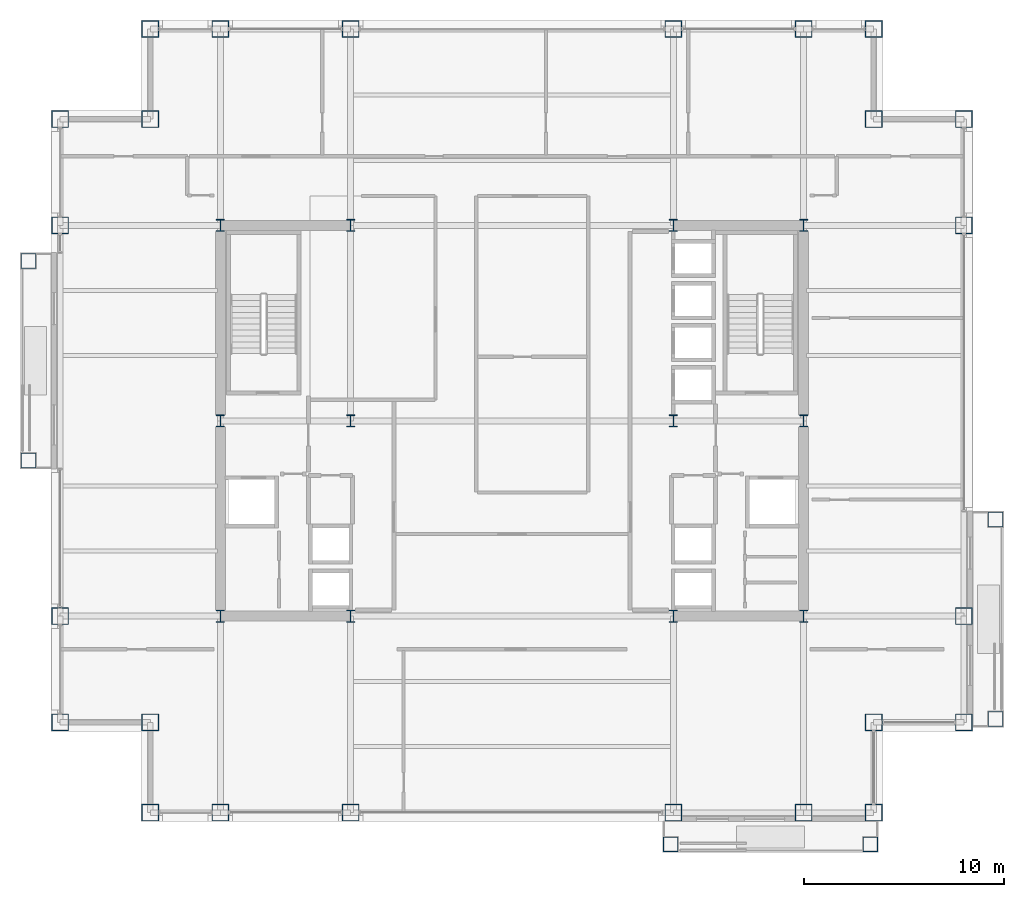
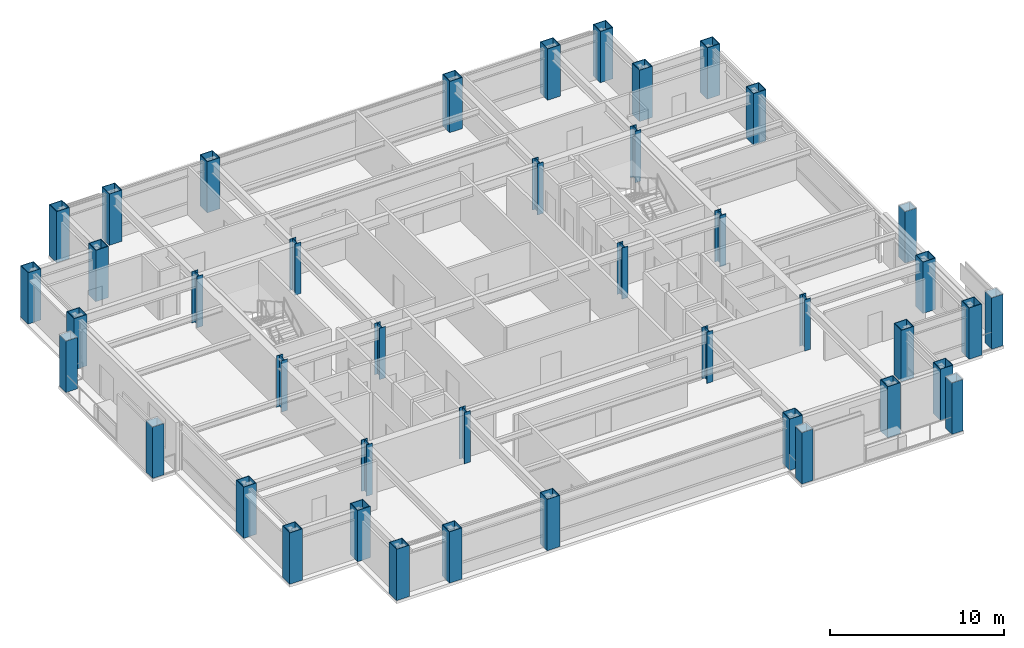
# One storey, part 1 of 31: 42 columns.
"""IFC4 building model written with IfcOpenShell, lengths in metres."""

from ifc_helpers import new_model, si_unit, direction, frame, origin, origin_2d, place, context, subcontext, project, spatial, hollow_rectangle, i_section, extrude, material, material_profile, profile_set, type_object, element, save


model = new_model("IFC4")

# Units and contexts
model_context = context("Model", 3, precision=1e-05, world=origin(), true_north=direction((0.0, 1.0)))
body_context = subcontext(model_context, "Body", "Model", "MODEL_VIEW")
ifc_project = project(units=[si_unit("LENGTHUNIT", "METRE"), si_unit("AREAUNIT", "SQUARE_METRE"), si_unit("VOLUMEUNIT", "CUBIC_METRE"), si_unit("PLANEANGLEUNIT", "RADIAN"), si_unit("MASSUNIT", "GRAM", prefix="KILO")], contexts=[model_context])

# Site, building, storey
site_placement = place(None, origin())
site = spatial("IfcSite", under=ifc_project, at=site_placement, CompositionType="ELEMENT")
building_placement = place(site_placement, origin())
building = spatial("IfcBuilding", under=site, at=building_placement, Name="Brelmoor Portico Tower", CompositionType="ELEMENT")
storey_placement = place(building_placement, frame((0.0, 0.0, 106.199951171875)))
storey = spatial("IfcBuildingStorey", under=building, at=storey_placement, Name="L27", CompositionType="ELEMENT", Elevation=106.199951171875)

# Columns
ifc_material = material(Name="Steel Q355B", Category="steel")
ifc_material_profile_1 = material_profile(ifc_material, hollow_rectangle(XDim=0.75, YDim=0.75, WallThickness=0.031982421875, at=origin_2d()), Name="BOX 750x750x32")
ifc_profile_set_1 = profile_set([ifc_material_profile_1], Name="Steel Q355B")
column_type_1 = type_object("IfcColumnType", Name="COL-MEGA-750", PredefinedType="COLUMN", material=ifc_profile_set_1)
for number, where, z_axis, x_axis, name in (
    (1, (7.919921875, -21.1298828125, 0.0), (0.0, 0.0, 1.0), (1.0, 0.0, 0.0), "L27 Proud Picture-Frame Pier PFJ-S1"),
    (2, (17.8798828125, -21.1298828125, 0.0), (0.0, 0.0, 1.0), (1.0, 0.0, 0.0), "L27 Proud Picture-Frame Pier PFJ-S2"),
    (3, (24.1298828125, -14.8798828125, 0.0), (0.0, 0.0, 1.0), (0.0, 1.0, 0.0), "L27 Proud Picture-Frame Pier PFJ-E1"),
    (4, (24.1298828125, -4.919921875, 0.0), (0.0, 0.0, 1.0), (0.0, 1.0, 0.0), "L27 Proud Picture-Frame Pier PFJ-E2"),
    (5, (-24.1298828125, -1.97998046875, 0.0), (0.0, 0.0, 1.0), (0.0, 1.0, 0.0), "L27 Proud Picture-Frame Pier PFJ-W1"),
    (6, (-24.1298828125, 7.97998046875, 0.0), (0.0, 0.0, 1.0), (0.0, 1.0, 0.0), "L27 Proud Picture-Frame Pier PFJ-W2"),
):
    element("IfcColumn", number, at=place(storey_placement, frame(where, z_axis=z_axis, x_axis=x_axis)), inside=storey, type_object=column_type_1, Name=name, PredefinedType="COLUMN", context=body_context, shape_type="SweptSolid", body=[
        extrude(hollow_rectangle(XDim=0.75, YDim=0.75, WallThickness=0.031982421875, at=origin_2d()), origin(), (0.0, 0.0, 1.0), 3.60009765625),
    ])
ifc_material_profile_2 = material_profile(ifc_material, hollow_rectangle(XDim=0.85009765625, YDim=0.85009765625, WallThickness=0.0400390625, at=origin_2d()), Name="BOX 850x850x40")
ifc_profile_set_2 = profile_set([ifc_material_profile_2], Name="Steel Q355B")
column_type_2 = type_object("IfcColumnType", Name="COL-MEGA-850", PredefinedType="COLUMN", material=ifc_profile_set_2)
for number, where, z_axis, x_axis, name in (
    (7, (-18.050048828125, -19.550048828125, 0.0), (0.0, 0.0, 1.0), (1.0, 0.0, 0.0), "L27 Perimeter Mega-Column PS01"),
    (8, (-14.550048828125, -19.550048828125, 0.0), (0.0, 0.0, 1.0), (1.0, 0.0, 0.0), "L27 Perimeter Mega-Column PS02"),
    (9, (-8.050048828125, -19.550048828125, 0.0), (0.0, 0.0, 1.0), (1.0, 0.0, 0.0), "L27 Perimeter Mega-Column PS03"),
    (10, (8.050048828125, -19.550048828125, 0.0), (0.0, 0.0, 1.0), (1.0, 0.0, 0.0), "L27 Perimeter Mega-Column PS04"),
    (11, (14.550048828125, -19.550048828125, 0.0), (0.0, 0.0, 1.0), (1.0, 0.0, 0.0), "L27 Perimeter Mega-Column PS05"),
    (12, (18.050048828125, -19.550048828125, 0.0), (0.0, 0.0, 1.0), (1.0, 0.0, 0.0), "L27 Perimeter Mega-Column PS06"),
    (13, (-18.050048828125, 19.550048828125, 0.0), (0.0, 0.0, 1.0), (1.0, 0.0, 0.0), "L27 Perimeter Mega-Column PN01"),
    (14, (-14.550048828125, 19.550048828125, 0.0), (0.0, 0.0, 1.0), (1.0, 0.0, 0.0), "L27 Perimeter Mega-Column PN02"),
    (15, (-8.050048828125, 19.550048828125, 0.0), (0.0, 0.0, 1.0), (1.0, 0.0, 0.0), "L27 Perimeter Mega-Column PN03"),
    (16, (8.050048828125, 19.550048828125, 0.0), (0.0, 0.0, 1.0), (1.0, 0.0, 0.0), "L27 Perimeter Mega-Column PN04"),
    (17, (14.550048828125, 19.550048828125, 0.0), (0.0, 0.0, 1.0), (1.0, 0.0, 0.0), "L27 Perimeter Mega-Column PN05"),
    (18, (18.050048828125, 19.550048828125, 0.0), (0.0, 0.0, 1.0), (1.0, 0.0, 0.0), "L27 Perimeter Mega-Column PN06"),
    (19, (-22.550048828125, -15.050048828125, 0.0), (0.0, 0.0, 1.0), (0.0, 1.0, 0.0), "L27 Perimeter Mega-Column PW01"),
    (20, (-22.550048828125, -9.75, 0.0), (0.0, 0.0, 1.0), (0.0, 1.0, 0.0), "L27 Perimeter Mega-Column PW02"),
    (21, (-22.550048828125, 9.75, 0.0), (0.0, 0.0, 1.0), (0.0, 1.0, 0.0), "L27 Perimeter Mega-Column PW03"),
    (22, (-22.550048828125, 15.050048828125, 0.0), (0.0, 0.0, 1.0), (0.0, 1.0, 0.0), "L27 Perimeter Mega-Column PW04"),
    (23, (22.550048828125, -15.050048828125, 0.0), (0.0, 0.0, 1.0), (0.0, 1.0, 0.0), "L27 Perimeter Mega-Column PE01"),
    (24, (22.550048828125, -9.75, 0.0), (0.0, 0.0, 1.0), (0.0, 1.0, 0.0), "L27 Perimeter Mega-Column PE02"),
    (25, (22.550048828125, 9.75, 0.0), (0.0, 0.0, 1.0), (0.0, 1.0, 0.0), "L27 Perimeter Mega-Column PE03"),
    (26, (22.550048828125, 15.050048828125, 0.0), (0.0, 0.0, 1.0), (0.0, 1.0, 0.0), "L27 Perimeter Mega-Column PE04"),
    (27, (-18.050048828125, 15.050048828125, 0.0), (0.0, 0.0, 1.0), (1.0, 0.0, 0.0), "L27 Perimeter Mega-Column PC-NW"),
    (28, (18.050048828125, 15.050048828125, 0.0), (0.0, 0.0, 1.0), (1.0, 0.0, 0.0), "L27 Perimeter Mega-Column PC-NE"),
    (29, (18.050048828125, -15.050048828125, 0.0), (0.0, 0.0, 1.0), (1.0, 0.0, 0.0), "L27 Perimeter Mega-Column PC-SE"),
    (30, (-18.050048828125, -15.050048828125, 0.0), (0.0, 0.0, 1.0), (1.0, 0.0, 0.0), "L27 Perimeter Mega-Column PC-SW"),
):
    element("IfcColumn", number, at=place(storey_placement, frame(where, z_axis=z_axis, x_axis=x_axis)), inside=storey, type_object=column_type_2, Name=name, PredefinedType="COLUMN", context=body_context, shape_type="SweptSolid", body=[
        extrude(hollow_rectangle(XDim=0.85009765625, YDim=0.85009765625, WallThickness=0.0400390625, at=origin_2d()), origin(), (0.0, 0.0, 1.0), 3.60009765625),
    ])
ifc_material_profile_3 = material_profile(ifc_material, i_section(OverallWidth=0.39990234375, OverallDepth=0.60009765625, WebThickness=0.02197265625, FlangeThickness=0.035888671875, at=origin_2d()), Name="HW 600x400x22x36")
ifc_profile_set_3 = profile_set([ifc_material_profile_3], Name="Steel Q355B")
column_type_3 = type_object("IfcColumnType", Name="COL-SPINE-600", PredefinedType="COLUMN", material=ifc_profile_set_3)
for number, where, z_axis, x_axis, name in (
    (31, (-14.550048828125, -9.75, 0.0), (0.0, 0.0, 1.0), (1.0, 0.0, 0.0), "L27 Core Spine Column CW-SW"),
    (32, (-14.550048828125, 0.0, 0.0), (0.0, 0.0, 1.0), (1.0, 0.0, 0.0), "L27 Core Spine Column CW-MW"),
    (33, (-14.550048828125, 9.75, 0.0), (0.0, 0.0, 1.0), (1.0, 0.0, 0.0), "L27 Core Spine Column CW-NW"),
    (34, (-8.050048828125, -9.75, 0.0), (0.0, 0.0, 1.0), (1.0, 0.0, 0.0), "L27 Core Spine Column CW-SE"),
    (35, (-8.050048828125, 0.0, 0.0), (0.0, 0.0, 1.0), (1.0, 0.0, 0.0), "L27 Core Spine Column CW-ME"),
    (36, (-8.050048828125, 9.75, 0.0), (0.0, 0.0, 1.0), (1.0, 0.0, 0.0), "L27 Core Spine Column CW-NE"),
    (37, (8.050048828125, -9.75, 0.0), (0.0, 0.0, 1.0), (1.0, 0.0, 0.0), "L27 Core Spine Column CE-SW"),
    (38, (8.050048828125, 0.0, 0.0), (0.0, 0.0, 1.0), (1.0, 0.0, 0.0), "L27 Core Spine Column CE-MW"),
    (39, (8.050048828125, 9.75, 0.0), (0.0, 0.0, 1.0), (1.0, 0.0, 0.0), "L27 Core Spine Column CE-NW"),
    (40, (14.550048828125, -9.75, 0.0), (0.0, 0.0, 1.0), (1.0, 0.0, 0.0), "L27 Core Spine Column CE-SE"),
    (41, (14.550048828125, 0.0, 0.0), (0.0, 0.0, 1.0), (1.0, 0.0, 0.0), "L27 Core Spine Column CE-ME"),
    (42, (14.550048828125, 9.75, 0.0), (0.0, 0.0, 1.0), (1.0, 0.0, 0.0), "L27 Core Spine Column CE-NE"),
):
    element("IfcColumn", number, at=place(storey_placement, frame(where, z_axis=z_axis, x_axis=x_axis)), inside=storey, type_object=column_type_3, Name=name, PredefinedType="COLUMN", context=body_context, shape_type="SweptSolid", body=[
        extrude(i_section(OverallWidth=0.39990234375, OverallDepth=0.60009765625, WebThickness=0.02197265625, FlangeThickness=0.035888671875, at=origin_2d()), origin(), (0.0, 0.0, 1.0), 3.60009765625),
    ])

save(model, "model.ifc")
